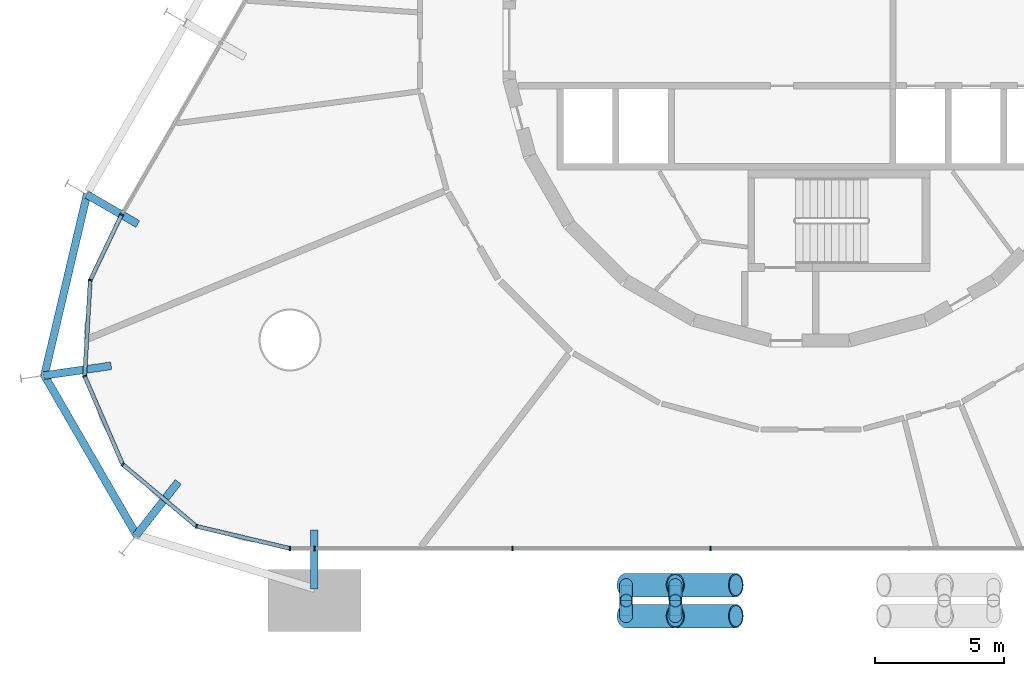
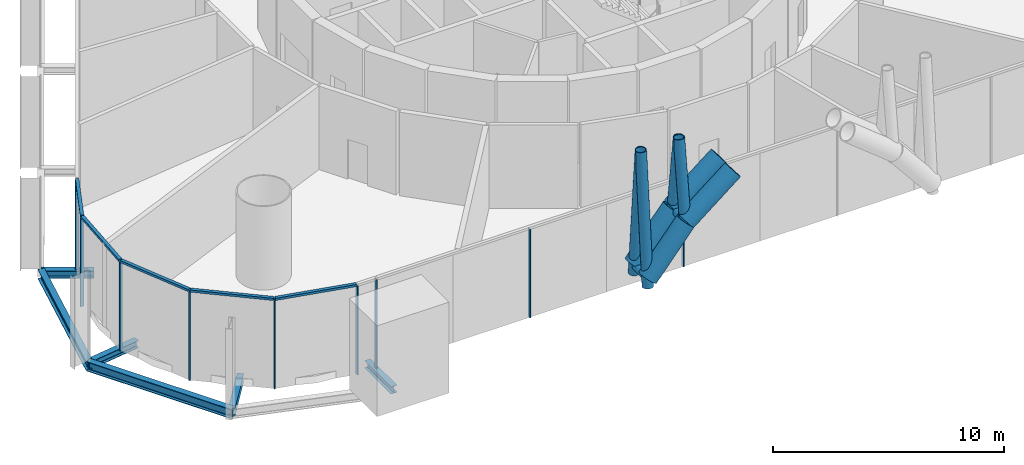
# One storey, part 3 of 17: 24 members, 6 beams, 2 elements without a shape of their own.
"""IFC4 building model written with IfcOpenShell, lengths in metres."""

import ifcopenshell
import ifcopenshell.guid

model = None  # the IFC model being written
_history = None  # IfcOwnerHistory: only IFC2X3 demands one
_inside = {}  # id of a spatial element -> (the spatial element, [elements in it])
_under = {}  # id of a project, library or spatial element -> (it, [spatial elements below it])
_declared = {}  # id of a project -> (the project, [libraries it declares])
_typed = {}  # id of a type object -> (the type object, [elements of that type])
_made_of = {}  # id of a material, layer set ... -> (it, [elements and type objects made of it])


def new_model(schema):
    """Start an empty IFC model of exactly this schema.

    Asked for "IFC4X3", IfcOpenShell would pick the latest addendum, in which some entities
    have other attributes; the version numbers below select the first issue.
    IFC2X3 requires an IfcOwnerHistory on every rooted entity: one is made here for all.
    """
    global model, _history
    if schema == "IFC4X3":
        model = ifcopenshell.file(schema_version=(4, 3, 0, 0))
    else:
        model = ifcopenshell.file(schema=schema)
    _inside.clear()
    _under.clear()
    _declared.clear()
    _typed.clear()
    _made_of.clear()
    _history = None
    if model.schema == "IFC2X3":
        org = make("IfcOrganization", Name="unknown")
        user = make(
            "IfcPersonAndOrganization",
            ThePerson=make("IfcPerson", FamilyName="unknown"),
            TheOrganization=org,
        )
        app = make(
            "IfcApplication",
            ApplicationDeveloper=org,
            Version="unknown",
            ApplicationFullName="unknown",
            ApplicationIdentifier="unknown",
        )
        _history = make(
            "IfcOwnerHistory",
            OwningUser=user,
            OwningApplication=app,
            ChangeAction="ADDED",
            CreationDate=0,
        )
    return model


def make(cls, **values):
    """One entity of the class cls with the attributes given. An attribute that is None is left unset."""
    return model.create_entity(
        cls, **{name: value for name, value in values.items() if value is not None}
    )


def rooted(cls, **values):
    """An entity with a GlobalId (a new one), such as an element, a storey or a relation."""
    return make(cls, GlobalId=ifcopenshell.guid.new(), OwnerHistory=_history, **values)


def si_unit(unit_type, name, prefix=None):
    """IfcSIUnit, for example si_unit("LENGTHUNIT", "METRE", prefix="MILLI")."""
    return make("IfcSIUnit", UnitType=unit_type, Prefix=prefix, Name=name)


def assignment(units):
    """IfcUnitAssignment: the units of a project."""
    return None if units is None else make("IfcUnitAssignment", Units=units)


def point(xyz):
    """IfcCartesianPoint."""
    return None if xyz is None else make("IfcCartesianPoint", Coordinates=xyz)


def direction(xyz):
    """IfcDirection."""
    return None if xyz is None else make("IfcDirection", DirectionRatios=xyz)


def frame(location, z_axis=None, x_axis=None):
    """IfcAxis2Placement3D, a coordinate frame: its origin and axes. An axis left out is left unset."""
    return make(
        "IfcAxis2Placement3D",
        Location=point(location),
        Axis=direction(z_axis),
        RefDirection=direction(x_axis),
    )


def frame_2d(location, x_axis=None):
    """IfcAxis2Placement2D, a coordinate frame in the plane: its origin and x axis."""
    return make(
        "IfcAxis2Placement2D", Location=point(location), RefDirection=direction(x_axis)
    )


def origin():
    """The frame at (0, 0, 0) with its axes left unset."""
    return frame((0.0, 0.0, 0.0))


def origin_2d():
    """The frame at (0, 0) in the plane with its x axis left unset."""
    return frame_2d((0.0, 0.0))


def place(relative_to, where):
    """IfcLocalPlacement: puts the frame where relative to a parent placement (None: the world)."""
    return make(
        "IfcLocalPlacement", PlacementRelTo=relative_to, RelativePlacement=where
    )


def context(
    kind, dimensions, precision=None, world=None, true_north=None, identifier=None
):
    """IfcGeometricRepresentationContext, for example the 3D "Model" context."""
    return make(
        "IfcGeometricRepresentationContext",
        ContextIdentifier=identifier,
        ContextType=kind,
        CoordinateSpaceDimension=dimensions,
        Precision=precision,
        WorldCoordinateSystem=world,
        TrueNorth=true_north,
    )


def subcontext(parent, identifier, kind, view, scale=None):
    """IfcGeometricRepresentationSubContext, for example "Body" below "Model"."""
    return make(
        "IfcGeometricRepresentationSubContext",
        ContextIdentifier=identifier,
        ContextType=kind,
        ParentContext=parent,
        TargetScale=scale,
        TargetView=view,
    )


def project(units=None, contexts=None):
    """IfcProject with its units and contexts."""
    return rooted(
        "IfcProject",
        Name="project",
        RepresentationContexts=contexts,
        UnitsInContext=assignment(units),
    )


def spatial(cls, under=None, at=None, **own):
    """A site, building, storey or space (cls), placed at a placement, below another one or the project."""
    s = rooted(cls, ObjectPlacement=at, **own)
    if under is not None:
        _under.setdefault(under.id(), (under, []))[1].append(s)
    return s


def profile(cls, at=None, kind="AREA", **sizes):
    """A parametric profile (cls). Its sizes go by their IFC names, for example OverallWidth=200.0."""
    return make(cls, ProfileType=kind, Position=at, **sizes)


def rectangle(**sizes):
    """IfcRectangleProfileDef."""
    return profile("IfcRectangleProfileDef", **sizes)


def hollow_circle(**sizes):
    """IfcCircleHollowProfileDef."""
    return profile("IfcCircleHollowProfileDef", **sizes)


def i_section(**sizes):
    """IfcIShapeProfileDef."""
    return profile("IfcIShapeProfileDef", **sizes)


def extrude(swept, where, along, depth):
    """IfcExtrudedAreaSolid: the profile swept, set in the frame where, extruded along a direction by depth."""
    return make(
        "IfcExtrudedAreaSolid",
        SweptArea=swept,
        Position=where,
        ExtrudedDirection=direction(along),
        Depth=depth,
    )


def shape(context_of_items, identifier, shape_type, items):
    """IfcShapeRepresentation: the items that make up one representation, for example the "Body"."""
    return make(
        "IfcShapeRepresentation",
        ContextOfItems=context_of_items,
        RepresentationIdentifier=identifier,
        RepresentationType=shape_type,
        Items=items,
    )


def material(Name=None, Category=None):
    """IfcMaterial."""
    return make("IfcMaterial", Name=Name, Category=Category)


def layer(
    of_material, thickness, ventilated=None, Name=None, Category=None, Priority=None
):
    """IfcMaterialLayer: one layer of a wall or slab, of a material (None: an air gap)."""
    return make(
        "IfcMaterialLayer",
        Material=of_material,
        LayerThickness=thickness,
        IsVentilated=ventilated,
        Name=Name,
        Category=Category,
        Priority=Priority,
    )


def layer_set(layers, Name=None):
    """IfcMaterialLayerSet."""
    return make("IfcMaterialLayerSet", MaterialLayers=layers, LayerSetName=Name)


def material_profile(
    of_material, cross_section, Name=None, Category=None, Priority=None
):
    """IfcMaterialProfile: a cross section and its material."""
    return make(
        "IfcMaterialProfile",
        Name=Name,
        Material=of_material,
        Profile=cross_section,
        Priority=Priority,
        Category=Category,
    )


def profile_set(profiles, Name=None, composite=None):
    """IfcMaterialProfileSet."""
    return make(
        "IfcMaterialProfileSet",
        Name=Name,
        MaterialProfiles=profiles,
        CompositeProfile=composite,
    )


def made_of(thing, what):
    """Note that an element or type object is made of a material, layer set ...; save() writes the relation."""
    if what is not None:
        _made_of.setdefault(what.id(), (what, []))[1].append(thing)
    return thing


def type_object(cls, material=None, **own):
    """A type object (cls), such as IfcWallType, which elements share."""
    return made_of(rooted(cls, **own), material)


def element(
    cls,
    number,
    at=None,
    inside=None,
    cuts=None,
    type_object=None,
    material=None,
    context=None,
    identifier="Body",
    shape_type=None,
    held_by="IfcProductDefinitionShape",
    body=None,
    shapes=None,
    **own,
):
    """One element of the class cls, such as IfcWall. Its Tag is "e" and its number.

    at: its placement. inside: the storey or other place that contains it. cuts: it is an
    opening in that element (IfcRelVoidsElement). A single representation is given by context,
    identifier, shape_type and body (its items); several are given by shapes. held_by: the class
    of the entity that holds the representations. save() writes the other relations.
    """
    e = rooted(cls, Tag="e%d" % number, ObjectPlacement=at, **own)
    if body is not None:
        shapes = [shape(context, identifier, shape_type, body)]
    if shapes is not None:
        e.Representation = make(held_by, Representations=shapes)
    if inside is not None:
        _inside.setdefault(inside.id(), (inside, []))[1].append(e)
    if cuts is not None:
        rooted(
            "IfcRelVoidsElement", RelatingBuildingElement=cuts, RelatedOpeningElement=e
        )
    if type_object is not None:
        _typed.setdefault(type_object.id(), (type_object, []))[1].append(e)
    return made_of(e, material)


def aggregate(whole, parts):
    """IfcRelAggregates: a whole, such as a stair, and the parts it consists of."""
    return rooted("IfcRelAggregates", RelatingObject=whole, RelatedObjects=parts)


def save(model, path):
    """Write the relations noted so far, then the file.

    IfcRelAggregates (storeys below a building ...), IfcRelContainedInSpatialStructure (elements
    in a storey), IfcRelDefinesByType, IfcRelAssociatesMaterial and IfcRelDeclares: one each for
    every whole, place, type object, material and project.
    """
    for whole, parts in _under.values():
        aggregate(whole, parts)
    for where, things in _inside.values():
        rooted(
            "IfcRelContainedInSpatialStructure",
            RelatedElements=things,
            RelatingStructure=where,
        )
    for kind, things in _typed.values():
        rooted("IfcRelDefinesByType", RelatedObjects=things, RelatingType=kind)
    for what, things in _made_of.values():
        rooted("IfcRelAssociatesMaterial", RelatedObjects=things, RelatingMaterial=what)
    for by, libraries in _declared.values():
        rooted("IfcRelDeclares", RelatingContext=by, RelatedDefinitions=libraries)
    model.write(path)


model = new_model("IFC4")

# Units and contexts
model_context = context("Model", 3, precision=1e-05, world=origin(), true_north=direction((0.0, 1.0)))
body_context = subcontext(model_context, "Body", "Model", "MODEL_VIEW")
ifc_project = project(units=[si_unit("LENGTHUNIT", "METRE"), si_unit("AREAUNIT", "SQUARE_METRE"), si_unit("VOLUMEUNIT", "CUBIC_METRE"), si_unit("PLANEANGLEUNIT", "RADIAN"), si_unit("MASSUNIT", "GRAM", prefix="KILO")], contexts=[model_context])

# Site, building, storey
site_placement = place(None, origin())
site = spatial("IfcSite", under=ifc_project, at=site_placement, CompositionType="ELEMENT")
building_placement = place(site_placement, origin())
building = spatial("IfcBuilding", under=site, at=building_placement, Name="Spindle Arch Residences", CompositionType="ELEMENT")
storey_placement = place(building_placement, frame((0.0, 0.0, 23.39990234375)))
storey = spatial("IfcBuildingStorey", under=building, at=storey_placement, Name="L04", CompositionType="ELEMENT", Elevation=23.39990234375)

# Members
ifc_material_1 = material(Name="Steel S355J2, intumescent coating R 240", Category="steel")
ifc_material_profile_1 = material_profile(ifc_material_1, hollow_circle(Radius=0.25390625, WallThickness=0.02490234375, at=origin_2d()), Name="CHS 508x25")
ifc_profile_set_1 = profile_set([ifc_material_profile_1], Name="Steel S355J2, intumescent coating R 240")
member_type_1 = type_object("IfcMemberType", Name="Arch hanger CHS 508x25", PredefinedType="BRACE", material=ifc_profile_set_1)
member_1_placement = place(storey_placement, frame((-7.11669921875, -21.72998046875, 8.14208984375), z_axis=(0.0, -0.087358368401, -0.996176949879), x_axis=(1.0, 0.0, 0.0)))
element("IfcMember", 1, at=member_1_placement, inside=storey, type_object=member_type_1, Name="Arch hanger 1.9", PredefinedType="BRACE", context=body_context, shape_type="SweptSolid", body=[
    extrude(hollow_circle(Radius=0.25390625, WallThickness=0.02490234375, at=origin_2d()), origin(), (0.0, 0.0, 1.0), 6.86669921875),
])
member_2_placement = place(storey_placement, frame((-5.21142578125, -21.72998046875, 8.14208984375), z_axis=(0.0, -0.131759755741, -0.991281678822), x_axis=(1.0, 0.0, 0.0)))
element("IfcMember", 2, at=member_2_placement, inside=storey, type_object=member_type_1, Name="Arch hanger 1.10", PredefinedType="BRACE", context=body_context, shape_type="SweptSolid", body=[
    extrude(hollow_circle(Radius=0.25390625, WallThickness=0.02490234375, at=origin_2d()), origin(), (0.0, 0.0, 1.0), 4.552734375),
])
member_3_placement = place(storey_placement, frame((-7.11669921875, -21.72998046875, 8.14208984375), z_axis=(0.0, 0.087393651791, -0.996173855121), x_axis=(-1.0, 0.0, 0.0)))
element("IfcMember", 3, at=member_3_placement, inside=storey, type_object=member_type_1, Name="Arch hanger 2.9", PredefinedType="BRACE", context=body_context, shape_type="SweptSolid", body=[
    extrude(hollow_circle(Radius=0.25390625, WallThickness=0.02490234375, at=origin_2d()), origin(), (0.0, 0.0, 1.0), 6.86669921875),
])
member_4_placement = place(storey_placement, frame((-5.21142578125, -21.72998046875, 8.14208984375), z_axis=(0.0, 0.13181245047, -0.991274673287), x_axis=(-1.0, 0.0, 0.0)))
element("IfcMember", 4, at=member_4_placement, inside=storey, type_object=member_type_1, Name="Arch hanger 2.10", PredefinedType="BRACE", context=body_context, shape_type="SweptSolid", body=[
    extrude(hollow_circle(Radius=0.25390625, WallThickness=0.02490234375, at=origin_2d()), origin(), (0.0, 0.0, 1.0), 4.552734375),
])
ifc_material_2 = material(Name="Steel S355J2, intumescent coating R 240", Category="steel")
ifc_material_profile_2 = material_profile(ifc_material_2, hollow_circle(Radius=0.45703125, WallThickness=0.050048828125, at=origin_2d()), Name="CHS 914x50")
ifc_profile_set_2 = profile_set([ifc_material_profile_2], Name="Steel S355J2, intumescent coating R 240")
member_type_2 = type_object("IfcMemberType", Name="Arch rib CHS 914x50", PredefinedType="MEMBER", material=ifc_profile_set_2)
member_5_placement = place(storey_placement, frame((-7.11669921875, -22.329833984375, 1.7587890625), z_axis=(0.633445512731, 0.0, 0.773787297906), x_axis=(0.0, 1.0, 0.0)))
element("IfcMember", 5, at=member_5_placement, inside=storey, type_object=member_type_2, Name="Arch rib 1.10", PredefinedType="MEMBER", context=body_context, shape_type="SweptSolid", body=[
    extrude(hollow_circle(Radius=0.45703125, WallThickness=0.050048828125, at=origin_2d()), origin(), (0.0, 0.0, 1.0), 3.0078125),
])
member_6_placement = place(storey_placement, frame((-5.21142578125, -22.329833984375, 4.086181640625), z_axis=(0.780852974485, 0.0, 0.624714840738), x_axis=(0.0, 1.0, 0.0)))
element("IfcMember", 6, at=member_6_placement, inside=storey, type_object=member_type_2, Name="Arch rib 1.11", PredefinedType="MEMBER", context=body_context, shape_type="SweptSolid", body=[
    extrude(hollow_circle(Radius=0.45703125, WallThickness=0.050048828125, at=origin_2d()), origin(), (0.0, 0.0, 1.0), 3.00830078125),
])
member_7_placement = place(storey_placement, frame((-7.11669921875, -21.1298828125, 1.7587890625), z_axis=(0.633445512731, 0.0, 0.773787297906), x_axis=(0.0, 1.0, 0.0)))
element("IfcMember", 7, at=member_7_placement, inside=storey, type_object=member_type_2, Name="Arch rib 2.10", PredefinedType="MEMBER", context=body_context, shape_type="SweptSolid", body=[
    extrude(hollow_circle(Radius=0.45703125, WallThickness=0.050048828125, at=origin_2d()), origin(), (0.0, 0.0, 1.0), 3.0078125),
])
member_8_placement = place(storey_placement, frame((-5.21142578125, -21.1298828125, 4.086181640625), z_axis=(0.780852974485, 0.0, 0.624714840738), x_axis=(0.0, 1.0, 0.0)))
element("IfcMember", 8, at=member_8_placement, inside=storey, type_object=member_type_2, Name="Arch rib 2.11", PredefinedType="MEMBER", context=body_context, shape_type="SweptSolid", body=[
    extrude(hollow_circle(Radius=0.45703125, WallThickness=0.050048828125, at=origin_2d()), origin(), (0.0, 0.0, 1.0), 3.00830078125),
])
ifc_material_3 = material(Name="Steel S355J2, intumescent coating R 240", Category="steel")
ifc_material_profile_3 = material_profile(ifc_material_3, hollow_circle(Radius=0.203125, WallThickness=0.02001953125, at=origin_2d()), Name="CHS 406.4x20")
ifc_profile_set_3 = profile_set([ifc_material_profile_3], Name="Steel S355J2, intumescent coating R 240")
member_type_3 = type_object("IfcMemberType", Name="Arch tie CHS 406.4x20", PredefinedType="MEMBER", material=ifc_profile_set_3)
for number, where, z_axis, x_axis, name in (
    (9, (-7.11669921875, -22.329833984375, 1.7587890625), (0.0, 1.0, 0.0), (-1.0, 0.0, 0.0), "Arch tie 9"),
    (10, (-5.21142578125, -22.329833984375, 4.086181640625), (0.0, 1.0, 0.0), (-1.0, 0.0, 0.0), "Arch tie 10"),
):
    element("IfcMember", number, at=place(storey_placement, frame(where, z_axis=z_axis, x_axis=x_axis)), inside=storey, type_object=member_type_3, Name=name, PredefinedType="MEMBER", context=body_context, shape_type="SweptSolid", body=[
        extrude(hollow_circle(Radius=0.203125, WallThickness=0.02001953125, at=origin_2d()), origin(), (0.0, 0.0, 1.0), 1.199951171875),
    ])

# Curtain wall, members
ifc_material_4 = material(Name="Aluminium bronze unitised frame with tinted glass", Category="aluminium")
ifc_layer_1 = layer(ifc_material_4, 0.159912109375)
ifc_layer_set_1 = layer_set([ifc_layer_1], Name="CW-D corner wall on the fillet arcs")
curtain_wall_type_1 = type_object("IfcCurtainWallType", Name="CW-D corner wall on the fillet arcs", PredefinedType="NOTDEFINED", material=ifc_layer_set_1)
curtain_wall_1_placement = place(storey_placement, origin())
curtain_wall_1 = element("IfcCurtainWall", 11, at=curtain_wall_1_placement, inside=storey, type_object=curtain_wall_type_1, Name="CW-D L04 run 5", PredefinedType="NOTDEFINED")
ifc_material_5 = material(Name="Aluminium bronze anodised mullion", Category="aluminium")
ifc_material_profile_4 = material_profile(ifc_material_5, rectangle(XDim=0.159912109375, YDim=0.06005859375, at=origin_2d()), Name="MU 60x160")
ifc_profile_set_4 = profile_set([ifc_material_profile_4], Name="Aluminium bronze anodised mullion")
member_type_4 = type_object("IfcMemberType", Name="Bronze mullion 60x160", PredefinedType="MULLION", material=ifc_profile_set_4)
member_9_placement = place(storey_placement, frame((-26.66943359375, -6.77294921875, -0.3798828125), z_axis=(0.0, 0.0, 1.0), x_axis=(0.902111889092, -0.431502189519, 0.0)))
member_9 = element("IfcMember", 12, at=member_9_placement, type_object=member_type_4, Name="CW-D mullion 00", PredefinedType="MULLION", context=body_context, shape_type="SweptSolid", body=[
    extrude(rectangle(XDim=0.159912109375, YDim=0.06005859375, at=origin_2d()), origin(), (0.0, 0.0, 1.0), 4.679931640625),
])
member_10_placement = place(storey_placement, frame((-27.884033203125, -9.3125, -0.3798828125), z_axis=(0.0, 0.0, 1.0), x_axis=(0.99830815821, -0.058144829968, 0.0)))
member_10 = element("IfcMember", 13, at=member_10_placement, type_object=member_type_4, Name="CW-D mullion 01", PredefinedType="MULLION", context=body_context, shape_type="SweptSolid", body=[
    extrude(rectangle(XDim=0.159912109375, YDim=0.06005859375, at=origin_2d()), origin(), (0.0, 0.0, 1.0), 4.679931640625),
])
member_11_placement = place(storey_placement, frame((-28.100830078125, -13.032958984375, -0.3798828125), z_axis=(0.0, 0.0, 1.0), x_axis=(0.918216106599, 0.396079766691, 0.0)))
member_11 = element("IfcMember", 14, at=member_11_placement, type_object=member_type_4, Name="CW-D mullion 02", PredefinedType="MULLION", context=body_context, shape_type="SweptSolid", body=[
    extrude(rectangle(XDim=0.159912109375, YDim=0.06005859375, at=origin_2d()), origin(), (0.0, 0.0, 1.0), 4.679931640625),
])
member_12_placement = place(storey_placement, frame((-26.624755859375, -16.454833984375, -0.3798828125), z_axis=(0.0, 0.0, 1.0), x_axis=(0.64278760716, 0.766044445239, 0.0)))
member_12 = element("IfcMember", 15, at=member_12_placement, type_object=member_type_4, Name="CW-D mullion 03", PredefinedType="MULLION", context=body_context, shape_type="SweptSolid", body=[
    extrude(rectangle(XDim=0.159912109375, YDim=0.06005859375, at=origin_2d()), origin(), (0.0, 0.0, 1.0), 4.679931640625),
])
member_13_placement = place(storey_placement, frame((-23.769775390625, -18.850341796875, -0.3798828125), z_axis=(0.0, 0.0, 1.0), x_axis=(0.230615868852, 0.973044871028, 0.0)))
member_13 = element("IfcMember", 16, at=member_13_placement, type_object=member_type_4, Name="CW-D mullion 04", PredefinedType="MULLION", context=body_context, shape_type="SweptSolid", body=[
    extrude(rectangle(XDim=0.159912109375, YDim=0.06005859375, at=origin_2d()), origin(), (0.0, 0.0, 1.0), 4.679931640625),
])
member_14_placement = place(storey_placement, frame((-20.1435546875, -19.7099609375, -0.3798828125), z_axis=(0.0, 0.0, 1.0), x_axis=(0.0, 1.0, 0.0)))
member_14 = element("IfcMember", 17, at=member_14_placement, type_object=member_type_4, Name="CW-D mullion 05", PredefinedType="MULLION", context=body_context, shape_type="SweptSolid", body=[
    extrude(rectangle(XDim=0.159912109375, YDim=0.06005859375, at=origin_2d()), origin(), (0.0, 0.0, 1.0), 4.679931640625),
])

ifc_material_6 = material(Name="Aluminium bronze unitised frame with tinted glass", Category="aluminium")
ifc_layer_2 = layer(ifc_material_6, 0.159912109375)
ifc_layer_set_2 = layer_set([ifc_layer_2], Name="CW-B amenity podium glazed wall")
curtain_wall_type_2 = type_object("IfcCurtainWallType", Name="CW-B amenity podium glazed wall", PredefinedType="NOTDEFINED", material=ifc_layer_set_2)
curtain_wall_2_placement = place(storey_placement, origin())
curtain_wall_2 = element("IfcCurtainWall", 18, at=curtain_wall_2_placement, inside=storey, type_object=curtain_wall_type_2, Name="CW-B L04 run 6", PredefinedType="NOTDEFINED")
member_15_placement = place(storey_placement, frame((-19.2001953125, -19.7099609375, -0.3798828125), z_axis=(0.0, 0.0, 1.0), x_axis=(0.0, 1.0, 0.0)))
member_15 = element("IfcMember", 19, at=member_15_placement, type_object=member_type_4, Name="CW-B mullion 21", PredefinedType="MULLION", context=body_context, shape_type="SweptSolid", body=[
    extrude(rectangle(XDim=0.159912109375, YDim=0.06005859375, at=origin_2d()), origin(), (0.0, 0.0, 1.0), 4.679931640625),
])
member_16_placement = place(storey_placement, frame((-11.52001953125, -19.7099609375, -0.3798828125), z_axis=(0.0, 0.0, 1.0), x_axis=(0.0, 1.0, 0.0)))
member_16 = element("IfcMember", 20, at=member_16_placement, type_object=member_type_4, Name="CW-B mullion 22", PredefinedType="MULLION", context=body_context, shape_type="SweptSolid", body=[
    extrude(rectangle(XDim=0.159912109375, YDim=0.06005859375, at=origin_2d()), origin(), (0.0, 0.0, 1.0), 4.679931640625),
])
member_17_placement = place(storey_placement, frame((-3.840087890625, -19.7099609375, -0.3798828125), z_axis=(0.0, 0.0, 1.0), x_axis=(0.0, 1.0, 0.0)))
member_17 = element("IfcMember", 21, at=member_17_placement, type_object=member_type_4, Name="CW-B mullion 23", PredefinedType="MULLION", context=body_context, shape_type="SweptSolid", body=[
    extrude(rectangle(XDim=0.159912109375, YDim=0.06005859375, at=origin_2d()), origin(), (0.0, 0.0, 1.0), 4.679931640625),
])
aggregate(curtain_wall_2, [member_15, member_16, member_17])

# Member
ifc_material_7 = material(Name="Aluminium bronze anodised transom", Category="aluminium")
ifc_material_profile_5 = material_profile(ifc_material_7, rectangle(XDim=0.159912109375, YDim=0.1201171875, at=origin_2d()), Name="TR 120x160")
ifc_profile_set_5 = profile_set([ifc_material_profile_5], Name="Aluminium bronze anodised transom")
member_type_5 = type_object("IfcMemberType", Name="Bronze transom 120x160", PredefinedType="USERDEFINED", material=ifc_profile_set_5)
member_18_placement = place(storey_placement, frame((-26.682373046875, -6.800048828125, 4.360107421875), z_axis=(-0.43147744699, -0.902123723631, 0.0), x_axis=(0.902123723631, -0.43147744699, 0.0)))
member_18 = element("IfcMember", 22, at=member_18_placement, type_object=member_type_5, Name="CW-D transom 00", ObjectType="TRANSOM", PredefinedType="USERDEFINED", context=body_context, shape_type="SweptSolid", body=[
    extrude(rectangle(XDim=0.159912109375, YDim=0.1201171875, at=origin_2d()), origin(), (0.0, 0.0, 1.0), 2.7548828125),
])

member_19_placement = place(storey_placement, frame((-27.885986328125, -9.342529296875, 4.360107421875), z_axis=(-0.058128716156, -0.998309096602, 0.0), x_axis=(0.998309096602, -0.058128716156, 0.0)))
member_19 = element("IfcMember", 23, at=member_19_placement, type_object=member_type_5, Name="CW-D transom 01", ObjectType="TRANSOM", PredefinedType="USERDEFINED", context=body_context, shape_type="SweptSolid", body=[
    extrude(rectangle(XDim=0.159912109375, YDim=0.1201171875, at=origin_2d()), origin(), (0.0, 0.0, 1.0), 3.66650390625),
])

member_20_placement = place(storey_placement, frame((-28.0888671875, -13.060546875, 4.360107421875), z_axis=(0.39603167212, -0.918236851078, 0.0), x_axis=(0.918236851078, 0.39603167212, 0.0)))
member_20 = element("IfcMember", 24, at=member_20_placement, type_object=member_type_5, Name="CW-D transom 02", ObjectType="TRANSOM", PredefinedType="USERDEFINED", context=body_context, shape_type="SweptSolid", body=[
    extrude(rectangle(XDim=0.159912109375, YDim=0.1201171875, at=origin_2d()), origin(), (0.0, 0.0, 1.0), 3.666748046875),
])

member_21_placement = place(storey_placement, frame((-26.601806640625, -16.47412109375, 4.360107421875), z_axis=(0.766006453075, -0.642832881741, 0.0), x_axis=(0.642832881741, 0.766006453075, 0.0)))
member_21 = element("IfcMember", 25, at=member_21_placement, type_object=member_type_5, Name="CW-D transom 03", ObjectType="TRANSOM", PredefinedType="USERDEFINED", context=body_context, shape_type="SweptSolid", body=[
    extrude(rectangle(XDim=0.159912109375, YDim=0.1201171875, at=origin_2d()), origin(), (0.0, 0.0, 1.0), 3.666748046875),
])

member_22_placement = place(storey_placement, frame((-23.74072265625, -18.857421875, 4.360107421875), z_axis=(0.973053560164, -0.230579203425, 0.0), x_axis=(0.230579203425, 0.973053560164, 0.0)))
member_22 = element("IfcMember", 26, at=member_22_placement, type_object=member_type_5, Name="CW-D transom 04", ObjectType="TRANSOM", PredefinedType="USERDEFINED", context=body_context, shape_type="SweptSolid", body=[
    extrude(rectangle(XDim=0.159912109375, YDim=0.1201171875, at=origin_2d()), origin(), (0.0, 0.0, 1.0), 3.666748046875),
])

aggregate(curtain_wall_1, [member_9, member_18, member_10, member_19, member_11, member_20, member_12, member_21, member_13, member_22, member_14])

# Beams
ifc_material_8 = material(Name="Steel S460ML, intumescent coating R 120", Category="steel")
ifc_material_profile_6 = material_profile(ifc_material_8, i_section(OverallWidth=0.300048828125, OverallDepth=0.5, WebThickness=0.014404296875, FlangeThickness=0.028076171875, FilletRadius=0.027099609375, at=origin_2d()), Name="HEB 500")
ifc_profile_set_6 = profile_set([ifc_material_profile_6], Name="Steel S460ML, intumescent coating R 120")
beam_type_1 = type_object("IfcBeamType", Name="Exoskeleton edge beam HEB 500", PredefinedType="BEAM", material=ifc_profile_set_6)
beam_1_placement = place(storey_placement, frame((-28.006591796875, -5.974609375, -0.6298828125), z_axis=(-0.229185730541, -0.973382710406, 0.0), x_axis=(0.973382710406, -0.229185730541, 0.0)))
element("IfcBeam", 27, at=beam_1_placement, inside=storey, type_object=beam_type_1, Name="Exoskeleton edge beam 19", PredefinedType="BEAM", context=body_context, shape_type="SweptSolid", body=[
    extrude(i_section(OverallWidth=0.300048828125, OverallDepth=0.5, WebThickness=0.014404296875, FlangeThickness=0.028076171875, FilletRadius=0.027099609375, at=origin_2d()), origin(), (0.0, 0.0, 1.0), 7.25),
])
beam_2_placement = place(storey_placement, frame((-29.685302734375, -12.9609375, -0.6298828125), z_axis=(0.500025200273, -0.866010853911, 0.0), x_axis=(0.866010853911, 0.500025200273, 0.0)))
element("IfcBeam", 28, at=beam_2_placement, inside=storey, type_object=beam_type_1, Name="Exoskeleton edge beam 20", PredefinedType="BEAM", context=body_context, shape_type="SweptSolid", body=[
    extrude(i_section(OverallWidth=0.300048828125, OverallDepth=0.5, WebThickness=0.014404296875, FlangeThickness=0.028076171875, FilletRadius=0.027099609375, at=origin_2d()), origin(), (0.0, 0.0, 1.0), 7.236572265625),
])
ifc_material_9 = material(Name="Steel S460ML, intumescent coating R 120", Category="steel")
ifc_material_profile_7 = material_profile(ifc_material_9, i_section(OverallWidth=0.300048828125, OverallDepth=0.389892578125, WebThickness=0.010986328125, FlangeThickness=0.01904296875, FilletRadius=0.027099609375, at=origin_2d()), Name="HEA 400")
ifc_profile_set_7 = profile_set([ifc_material_profile_7], Name="Steel S460ML, intumescent coating R 120")
beam_type_2 = type_object("IfcBeamType", Name="Floor outrigger HEA 400", PredefinedType="BEAM", material=ifc_profile_set_7)
beam_3_placement = place(storey_placement, frame((-28.029052734375, -5.98779296875, -0.574951171875), z_axis=(0.866001280077, -0.50004178116, 0.0), x_axis=(0.50004178116, 0.866001280077, 0.0)))
element("IfcBeam", 29, at=beam_3_placement, inside=storey, type_object=beam_type_2, Name="Floor outrigger 19", PredefinedType="BEAM", context=body_context, shape_type="SweptSolid", body=[
    extrude(i_section(OverallWidth=0.300048828125, OverallDepth=0.389892578125, WebThickness=0.010986328125, FlangeThickness=0.01904296875, FilletRadius=0.027099609375, at=origin_2d()), origin(), (0.0, 0.0, 1.0), 2.294189453125),
])
for number, where, z_axis, x_axis, name in (
    (30, (-29.694580078125, -13.009033203125, -0.574951171875), (0.989738348309, 0.142891573883, 0.0), (-0.142891573883, 0.989738348309, 0.0), "Floor outrigger 20"),
    (31, (-26.11328125, -19.211669921875, -0.574951171875), (0.618586231558, 0.785716917297, 0.0), (-0.785716917297, 0.618586231558, 0.0), "Floor outrigger 21"),
):
    element("IfcBeam", number, at=place(storey_placement, frame(where, z_axis=z_axis, x_axis=x_axis)), inside=storey, type_object=beam_type_2, Name=name, PredefinedType="BEAM", context=body_context, shape_type="SweptSolid", body=[
        extrude(i_section(OverallWidth=0.300048828125, OverallDepth=0.389892578125, WebThickness=0.010986328125, FlangeThickness=0.01904296875, FilletRadius=0.027099609375, at=origin_2d()), origin(), (0.0, 0.0, 1.0), 2.64990234375),
    ])
beam_4_placement = place(storey_placement, frame((-19.2001953125, -21.27978515625, -0.574951171875), z_axis=(0.0, 1.0, 0.0), x_axis=(-1.0, 0.0, 0.0)))
element("IfcBeam", 32, at=beam_4_placement, inside=storey, type_object=beam_type_2, Name="Floor outrigger 22", PredefinedType="BEAM", context=body_context, shape_type="SweptSolid", body=[
    extrude(i_section(OverallWidth=0.300048828125, OverallDepth=0.389892578125, WebThickness=0.010986328125, FlangeThickness=0.01904296875, FilletRadius=0.027099609375, at=origin_2d()), origin(), (0.0, 0.0, 1.0), 2.2939453125),
])

save(model, "model.ifc")
